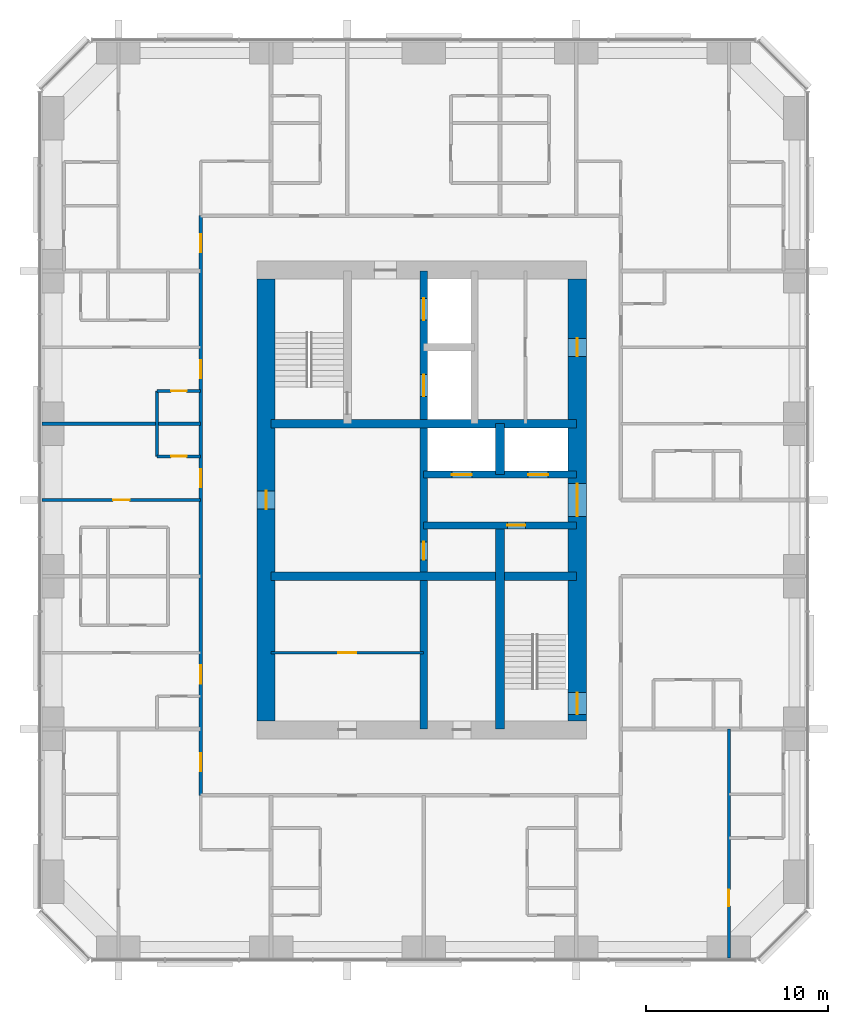
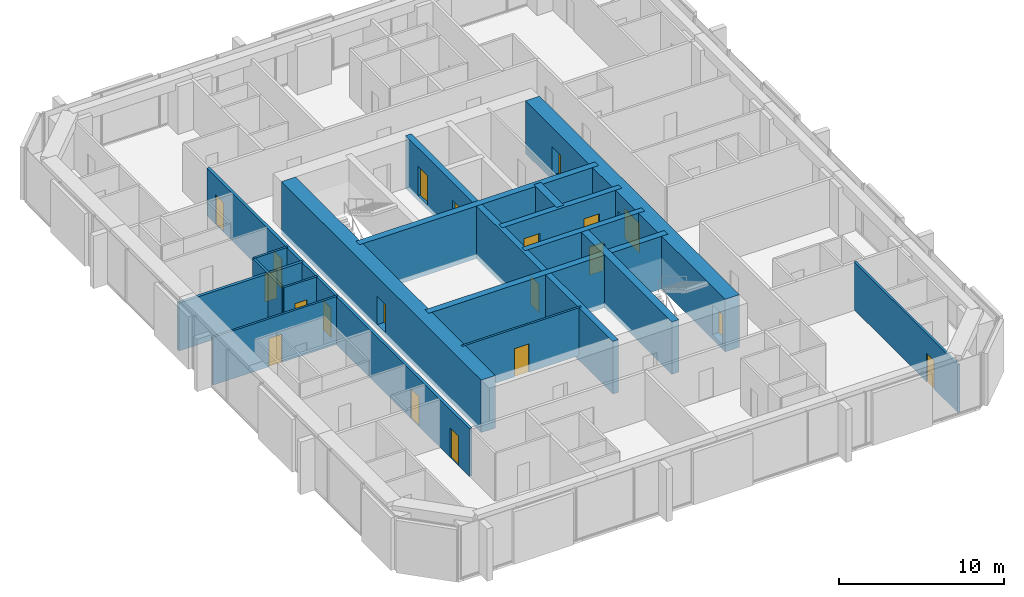
# One storey, part 8 of 12: 20 doors, 17 walls, 20 openings.
"""IFC4 building model written with IfcOpenShell, lengths in metres."""

from ifc_helpers import new_model, si_unit, direction, frame, frame_2d, origin, place, context, subcontext, project, spatial, rectangle, extrude, material, layer, layer_set, type_object, element, fill, save


model = new_model("IFC4")

# Units and contexts
model_context = context("Model", 3, precision=1e-05, world=origin(), true_north=direction((0.0, 1.0)))
body_context = subcontext(model_context, "Body", "Model", "MODEL_VIEW")
ifc_project = project(units=[si_unit("LENGTHUNIT", "METRE"), si_unit("AREAUNIT", "SQUARE_METRE"), si_unit("VOLUMEUNIT", "CUBIC_METRE"), si_unit("PLANEANGLEUNIT", "RADIAN"), si_unit("MASSUNIT", "GRAM", prefix="KILO")], contexts=[model_context])

# Site, building, storey
site_placement = place(None, origin())
site = spatial("IfcSite", under=ifc_project, at=site_placement, CompositionType="ELEMENT")
building_placement = place(site_placement, origin())
building = spatial("IfcBuilding", under=site, at=building_placement, Name="Dunama Terrace Hotel", CompositionType="ELEMENT")
storey_placement = place(building_placement, frame((0.0, 0.0, 229.5)))
storey = spatial("IfcBuildingStorey", under=building, at=storey_placement, Name="L59", CompositionType="ELEMENT", Elevation=229.5)

# Wall
ifc_material_1 = material(Name="Gypsum board partition", Category="masonry")
ifc_layer_1 = layer(ifc_material_1, 0.14990234375)
ifc_layer_set_1 = layer_set([ifc_layer_1], Name="Bathroom partition 150")
wall_type_1 = type_object("IfcWallType", Name="Bathroom partition 150", PredefinedType="PARTITIONING", material=ifc_layer_set_1)
wall_1_placement = place(storey_placement, frame((18.925048828125, 31.800048828125, 0.0), z_axis=(0.0, 0.0, 1.0), x_axis=(0.0, 1.0, 0.0)))
element("IfcWall", 1, at=wall_1_placement, inside=storey, type_object=wall_type_1, Name="Bathroom partition 150 L59", PredefinedType="PARTITIONING", context=body_context, shape_type="SweptSolid", body=[
    extrude(rectangle(XDim=3.599853515625, YDim=0.14990234375, at=frame_2d((1.7998046875, 0.0))), origin(), (0.0, 0.0, 1.0), 3.550048828125),
])

# Wall, opening, door
wall_2_placement = place(storey_placement, frame((18.925048828125, 31.800048828125, 0.0), z_axis=(0.0, 0.0, 1.0), x_axis=(1.0, 0.0, 0.0)))
wall_2 = element("IfcWall", 2, at=wall_2_placement, inside=storey, type_object=wall_type_1, Name="Bathroom partition 150 L59", PredefinedType="PARTITIONING", context=body_context, shape_type="SweptSolid", body=[
    extrude(rectangle(XDim=2.39990234375, YDim=0.14990234375, at=frame_2d((1.199951171875, 0.0))), origin(), (0.0, 0.0, 1.0), 3.550048828125),
])
opening_1_placement = place(wall_2_placement, frame((0.77490234375, 0.0, 0.0)))
opening_1 = element("IfcOpeningElement", 3, at=opening_1_placement, cuts=wall_2, Name="Opening L59-037", PredefinedType="OPENING", context=body_context, shape_type="SweptSolid", body=[
    extrude(rectangle(XDim=0.85009765625, YDim=2.10009765625, at=frame_2d((0.425048828125, 1.050048828125))), frame((0.0, 0.0849609375, 0.0), z_axis=(0.0, -1.0, 0.0), x_axis=(1.0, 0.0, 0.0)), (0.0, 0.0, 1.0), 0.169921875),
])
ifc_material_2 = material(Name="Timber door with steel frame", Category="steel")
door_type_1 = type_object("IfcDoorType", Name="Bathroom door 850", OperationType="SINGLE_SWING_LEFT", PredefinedType="DOOR", material=ifc_material_2)
door_1_placement = place(opening_1_placement, origin())
door_1 = element("IfcDoor", 4, at=door_1_placement, inside=storey, type_object=door_type_1, Name="Door to powder room L59-037, type D2", OperationType="SINGLE_SWING_RIGHT", OverallHeight=2.10009765625, OverallWidth=0.85009765625, PredefinedType="DOOR", context=body_context, shape_type="SweptSolid", body=[
    extrude(rectangle(XDim=0.85009765625, YDim=2.10009765625, at=frame_2d((0.425048828125, 1.050048828125))), frame((0.0, 0.02490234375, 0.0), z_axis=(0.0, -1.0, 0.0), x_axis=(1.0, 0.0, 0.0)), (0.0, 0.0, 1.0), 0.050048828125),
])
fill(opening_1, door_1)

wall_3_placement = place(storey_placement, frame((18.925048828125, 35.39990234375, 0.0), z_axis=(0.0, 0.0, 1.0), x_axis=(1.0, 0.0, 0.0)))
wall_3 = element("IfcWall", 5, at=wall_3_placement, inside=storey, type_object=wall_type_1, Name="Bathroom partition 150 L59", PredefinedType="PARTITIONING", context=body_context, shape_type="SweptSolid", body=[
    extrude(rectangle(XDim=2.39990234375, YDim=0.14990234375, at=frame_2d((1.199951171875, 0.0))), origin(), (0.0, 0.0, 1.0), 3.550048828125),
])
opening_2_placement = place(wall_3_placement, frame((0.77490234375, 0.0, 0.0)))
opening_2 = element("IfcOpeningElement", 6, at=opening_2_placement, cuts=wall_3, Name="Opening L59-042", PredefinedType="OPENING", context=body_context, shape_type="SweptSolid", body=[
    extrude(rectangle(XDim=0.85009765625, YDim=2.10009765625, at=frame_2d((0.425048828125, 1.050048828125))), frame((0.0, 0.0849609375, 0.0), z_axis=(0.0, -1.0, 0.0), x_axis=(1.0, 0.0, 0.0)), (0.0, 0.0, 1.0), 0.169921875),
])
door_2_placement = place(opening_2_placement, frame((0.85009765625, 0.0, 0.0), z_axis=(0.0, 0.0, 1.0), x_axis=(-1.0, 0.0, 0.0)))
door_2 = element("IfcDoor", 7, at=door_2_placement, inside=storey, type_object=door_type_1, Name="Door to powder room L59-042, type D2", OperationType="SINGLE_SWING_LEFT", OverallHeight=2.10009765625, OverallWidth=0.85009765625, PredefinedType="DOOR", context=body_context, shape_type="SweptSolid", body=[
    extrude(rectangle(XDim=0.85009765625, YDim=2.10009765625, at=frame_2d((0.425048828125, 1.050048828125))), frame((0.0, 0.025146484375, 0.0), z_axis=(0.0, -1.0, 0.0), x_axis=(1.0, 0.0, 0.0)), (0.0, 0.0, 1.0), 0.050048828125),
])
fill(opening_2, door_2)

# Wall, openings, doors
ifc_material_3 = material(Name="Concrete C50/60", Category="concrete")
ifc_layer_2 = layer(ifc_material_3, 0.39990234375)
ifc_layer_set_2 = layer_set([ifc_layer_2], Name="Core inner wall 400")
wall_type_2 = type_object("IfcWallType", Name="Core inner wall 400", PredefinedType="SHEAR", material=ifc_layer_set_2)
wall_4_placement = place(storey_placement, frame((33.60009765625, 16.800048828125, -0.35009765625), z_axis=(0.0, 0.0, 1.0), x_axis=(0.0, 1.0, 0.0)))
wall_4 = element("IfcWall", 8, at=wall_4_placement, inside=storey, type_object=wall_type_2, Name="Core inner wall 400 L59", PredefinedType="SHEAR", context=body_context, shape_type="SweptSolid", body=[
    extrude(rectangle(XDim=25.199951171875, YDim=0.39990234375, at=frame_2d((12.60009765625, 0.0))), origin(), (0.0, 0.0, 1.0), 3.900146484375),
])
opening_3_placement = place(wall_4_placement, frame((22.5, 0.0, 0.35009765625)))
opening_3 = element("IfcOpeningElement", 9, at=opening_3_placement, cuts=wall_4, Name="Opening L59-005", PredefinedType="OPENING", context=body_context, shape_type="SweptSolid", body=[
    extrude(rectangle(XDim=1.199951171875, YDim=2.199951171875, at=frame_2d((0.60009765625, 1.10009765625))), frame((0.0, 0.2099609375, 0.0), z_axis=(0.0, -1.0, 0.0), x_axis=(1.0, 0.0, 0.0)), (0.0, 0.0, 1.0), 0.419921875),
])
opening_4_placement = place(wall_4_placement, frame((18.300048828125, 0.0, 0.35009765625)))
opening_4 = element("IfcOpeningElement", 10, at=opening_4_placement, cuts=wall_4, Name="Opening L59-006", PredefinedType="OPENING", context=body_context, shape_type="SweptSolid", body=[
    extrude(rectangle(XDim=1.199951171875, YDim=2.199951171875, at=frame_2d((0.60009765625, 1.10009765625))), frame((0.0, 0.2099609375, 0.0), z_axis=(0.0, -1.0, 0.0), x_axis=(1.0, 0.0, 0.0)), (0.0, 0.0, 1.0), 0.419921875),
])
opening_5_placement = place(wall_4_placement, frame((9.300048828125, 0.0, 0.35009765625)))
opening_5 = element("IfcOpeningElement", 11, at=opening_5_placement, cuts=wall_4, Name="Opening L59-067", PredefinedType="OPENING", context=body_context, shape_type="SweptSolid", body=[
    extrude(rectangle(XDim=1.0, YDim=2.10009765625, at=frame_2d((0.5, 1.050048828125))), frame((0.0, 0.2099609375, 0.0), z_axis=(0.0, -1.0, 0.0), x_axis=(1.0, 0.0, 0.0)), (0.0, 0.0, 1.0), 0.419921875),
])
ifc_material_4 = material(Name="Stainless steel lift door", Category="steel")
door_type_2 = type_object("IfcDoorType", Name="Firefighting lift landing door 1200", OperationType="DOUBLE_DOOR_SLIDING", PredefinedType="DOOR", material=ifc_material_4)
door_3_placement = place(opening_3_placement, origin())
door_3 = element("IfcDoor", 12, at=door_3_placement, inside=storey, type_object=door_type_2, Name="Landing door FL1 L59-005, type LD2", OperationType="DOUBLE_DOOR_SLIDING", OverallHeight=2.199951171875, OverallWidth=1.199951171875, PredefinedType="DOOR", context=body_context, shape_type="SweptSolid", body=[
    extrude(rectangle(XDim=1.199951171875, YDim=2.199951171875, at=frame_2d((0.60009765625, 1.10009765625))), frame((0.0, 0.02490234375, 0.0), z_axis=(0.0, -1.0, 0.0), x_axis=(1.0, 0.0, 0.0)), (0.0, 0.0, 1.0), 0.050048828125),
])
fill(opening_3, door_3)
door_4_placement = place(opening_4_placement, origin())
door_4 = element("IfcDoor", 13, at=door_4_placement, inside=storey, type_object=door_type_2, Name="Landing door FL2 L59-006, type LD2", OperationType="DOUBLE_DOOR_SLIDING", OverallHeight=2.199951171875, OverallWidth=1.199951171875, PredefinedType="DOOR", context=body_context, shape_type="SweptSolid", body=[
    extrude(rectangle(XDim=1.199951171875, YDim=2.199951171875, at=frame_2d((0.60009765625, 1.10009765625))), frame((0.0, 0.02490234375, 0.0), z_axis=(0.0, -1.0, 0.0), x_axis=(1.0, 0.0, 0.0)), (0.0, 0.0, 1.0), 0.050048828125),
])
fill(opening_4, door_4)
ifc_material_5 = material(Name="Timber door with steel frame", Category="steel")
door_type_3 = type_object("IfcDoorType", Name="Service door 1000", OperationType="SINGLE_SWING_LEFT", PredefinedType="DOOR", material=ifc_material_5)
door_5_placement = place(opening_5_placement, frame((1.0, 0.0, 0.0), z_axis=(0.0, 0.0, 1.0), x_axis=(-1.0, 0.0, 0.0)))
door_5 = element("IfcDoor", 14, at=door_5_placement, inside=storey, type_object=door_type_3, Name="Door to service riser L59-067, type D7", OperationType="SINGLE_SWING_RIGHT", OverallHeight=2.10009765625, OverallWidth=1.0, PredefinedType="DOOR", context=body_context, shape_type="SweptSolid", body=[
    extrude(rectangle(XDim=1.0, YDim=2.10009765625, at=frame_2d((0.5, 1.050048828125))), frame((0.0, 0.025146484375, 0.0), z_axis=(0.0, -1.0, 0.0), x_axis=(1.0, 0.0, 0.0)), (0.0, 0.0, 1.0), 0.050048828125),
])
fill(opening_5, door_5)

# Wall, opening, door
wall_5_placement = place(storey_placement, frame((33.60009765625, 28.0, -0.35009765625), z_axis=(0.0, 0.0, 1.0), x_axis=(1.0, 0.0, 0.0)))
wall_5 = element("IfcWall", 15, at=wall_5_placement, inside=storey, type_object=wall_type_2, Name="Core inner wall 400 L59", PredefinedType="SHEAR", context=body_context, shape_type="SweptSolid", body=[
    extrude(rectangle(XDim=8.39990234375, YDim=0.39990234375, at=frame_2d((4.199951171875, 0.0))), origin(), (0.0, 0.0, 1.0), 3.900146484375),
])
opening_6_placement = place(wall_5_placement, frame((4.60009765625, 0.0, 0.35009765625)))
opening_6 = element("IfcOpeningElement", 16, at=opening_6_placement, cuts=wall_5, Name="Opening L59-068", PredefinedType="OPENING", context=body_context, shape_type="SweptSolid", body=[
    extrude(rectangle(XDim=1.0, YDim=2.10009765625, at=frame_2d((0.5, 1.050048828125))), frame((0.0, 0.2099609375, 0.0), z_axis=(0.0, -1.0, 0.0), x_axis=(1.0, 0.0, 0.0)), (0.0, 0.0, 1.0), 0.419921875),
])
door_6_placement = place(opening_6_placement, frame((1.0, 0.0, 0.0), z_axis=(0.0, 0.0, 1.0), x_axis=(-1.0, 0.0, 0.0)))
door_6 = element("IfcDoor", 17, at=door_6_placement, inside=storey, type_object=door_type_3, Name="Door to ice and vending room L59-068, type D7", OperationType="SINGLE_SWING_RIGHT", OverallHeight=2.10009765625, OverallWidth=1.0, PredefinedType="DOOR", context=body_context, shape_type="SweptSolid", body=[
    extrude(rectangle(XDim=1.0, YDim=2.10009765625, at=frame_2d((0.5, 1.050048828125))), frame((0.0, 0.025146484375, 0.0), z_axis=(0.0, -1.0, 0.0), x_axis=(1.0, 0.0, 0.0)), (0.0, 0.0, 1.0), 0.050048828125),
])
fill(opening_6, door_6)

# Wall, openings, doors
wall_6_placement = place(storey_placement, frame((33.60009765625, 30.800048828125, -0.35009765625), z_axis=(0.0, 0.0, 1.0), x_axis=(1.0, 0.0, 0.0)))
wall_6 = element("IfcWall", 18, at=wall_6_placement, inside=storey, type_object=wall_type_2, Name="Core inner wall 400 L59", PredefinedType="SHEAR", context=body_context, shape_type="SweptSolid", body=[
    extrude(rectangle(XDim=8.39990234375, YDim=0.39990234375, at=frame_2d((4.199951171875, 0.0))), origin(), (0.0, 0.0, 1.0), 3.900146484375),
])
opening_7_placement = place(wall_6_placement, frame((1.550048828125, 0.0, 0.35009765625)))
opening_7 = element("IfcOpeningElement", 19, at=opening_7_placement, cuts=wall_6, Name="Opening L59-003", PredefinedType="OPENING", context=body_context, shape_type="SweptSolid", body=[
    extrude(rectangle(XDim=1.10009765625, YDim=2.199951171875, at=frame_2d((0.550048828125, 1.10009765625))), frame((0.0, 0.2099609375, 0.0), z_axis=(0.0, -1.0, 0.0), x_axis=(1.0, 0.0, 0.0)), (0.0, 0.0, 1.0), 0.419921875),
])
opening_8_placement = place(wall_6_placement, frame((5.75, 0.0, 0.35009765625)))
opening_8 = element("IfcOpeningElement", 20, at=opening_8_placement, cuts=wall_6, Name="Opening L59-004", PredefinedType="OPENING", context=body_context, shape_type="SweptSolid", body=[
    extrude(rectangle(XDim=1.10009765625, YDim=2.199951171875, at=frame_2d((0.550048828125, 1.10009765625))), frame((0.0, 0.2099609375, 0.0), z_axis=(0.0, -1.0, 0.0), x_axis=(1.0, 0.0, 0.0)), (0.0, 0.0, 1.0), 0.419921875),
])
ifc_material_6 = material(Name="Stainless steel lift door", Category="steel")
door_type_4 = type_object("IfcDoorType", Name="Lift landing door 1100", OperationType="DOUBLE_DOOR_SLIDING", PredefinedType="DOOR", material=ifc_material_6)
door_7_placement = place(opening_7_placement, origin())
door_7 = element("IfcDoor", 21, at=door_7_placement, inside=storey, type_object=door_type_4, Name="Landing door PD1 L59-003, type LD1", OperationType="DOUBLE_DOOR_SLIDING", OverallHeight=2.199951171875, OverallWidth=1.10009765625, PredefinedType="DOOR", context=body_context, shape_type="SweptSolid", body=[
    extrude(rectangle(XDim=1.10009765625, YDim=2.199951171875, at=frame_2d((0.550048828125, 1.10009765625))), frame((0.0, 0.02490234375, 0.0), z_axis=(0.0, -1.0, 0.0), x_axis=(1.0, 0.0, 0.0)), (0.0, 0.0, 1.0), 0.050048828125),
])
fill(opening_7, door_7)
door_8_placement = place(opening_8_placement, origin())
door_8 = element("IfcDoor", 22, at=door_8_placement, inside=storey, type_object=door_type_4, Name="Landing door PD2 L59-004, type LD1", OperationType="DOUBLE_DOOR_SLIDING", OverallHeight=2.199951171875, OverallWidth=1.10009765625, PredefinedType="DOOR", context=body_context, shape_type="SweptSolid", body=[
    extrude(rectangle(XDim=1.10009765625, YDim=2.199951171875, at=frame_2d((0.550048828125, 1.10009765625))), frame((0.0, 0.02490234375, 0.0), z_axis=(0.0, -1.0, 0.0), x_axis=(1.0, 0.0, 0.0)), (0.0, 0.0, 1.0), 0.050048828125),
])
fill(opening_8, door_8)

# Walls
ifc_material_7 = material(Name="Concrete C50/60", Category="concrete")
ifc_layer_3 = layer(ifc_material_7, 0.449951171875)
ifc_layer_set_3 = layer_set([ifc_layer_3], Name="Core inner wall 450")
wall_type_3 = type_object("IfcWallType", Name="Core inner wall 450", PredefinedType="SHEAR", material=ifc_layer_set_3)
for number, where, z_axis, x_axis, name in (
    (23, (25.199951171875, 25.199951171875, -0.35009765625), (0.0, 0.0, 1.0), (1.0, 0.0, 0.0), "Core inner wall 450 L59"),
    (24, (25.199951171875, 33.60009765625, -0.35009765625), (0.0, 0.0, 1.0), (1.0, 0.0, 0.0), "Core inner wall 450 L59"),
):
    element("IfcWall", number, at=place(storey_placement, frame(where, z_axis=z_axis, x_axis=x_axis)), inside=storey, type_object=wall_type_3, Name=name, PredefinedType="SHEAR", context=body_context, shape_type="SweptSolid", body=[
        extrude(rectangle(XDim=16.800048828125, YDim=0.449951171875, at=frame_2d((8.39990234375, 0.0))), origin(), (0.0, 0.0, 1.0), 3.900146484375),
    ])
ifc_material_8 = material(Name="Concrete C50/60", Category="concrete")
ifc_layer_4 = layer(ifc_material_8, 0.5)
ifc_layer_set_4 = layer_set([ifc_layer_4], Name="Core inner wall 500")
wall_type_4 = type_object("IfcWallType", Name="Core inner wall 500", PredefinedType="SHEAR", material=ifc_layer_set_4)
wall_7_placement = place(storey_placement, frame((37.800048828125, 16.800048828125, -0.35009765625), z_axis=(0.0, 0.0, 1.0), x_axis=(0.0, 1.0, 0.0)))
element("IfcWall", 25, at=wall_7_placement, inside=storey, type_object=wall_type_4, Name="Core inner wall 500 L59", PredefinedType="SHEAR", context=body_context, shape_type="SweptSolid", body=[
    extrude(rectangle(XDim=11.199951171875, YDim=0.5, at=frame_2d((5.60009765625, 0.0))), origin(), (0.0, 0.0, 1.0), 3.900146484375),
])
wall_8_placement = place(storey_placement, frame((37.800048828125, 30.800048828125, -0.35009765625), z_axis=(0.0, 0.0, 1.0), x_axis=(0.0, 1.0, 0.0)))
element("IfcWall", 26, at=wall_8_placement, inside=storey, type_object=wall_type_4, Name="Core inner wall 500 L59", PredefinedType="SHEAR", context=body_context, shape_type="SweptSolid", body=[
    extrude(rectangle(XDim=2.800048828125, YDim=0.5, at=frame_2d((1.39990234375, 0.0))), origin(), (0.0, 0.0, 1.0), 3.900146484375),
])

# Wall, openings, doors
ifc_material_9 = material(Name="Concrete C60/75", Category="concrete")
ifc_layer_5 = layer(ifc_material_9, 1.0)
ifc_layer_set_5 = layer_set([ifc_layer_5], Name="Core wall 1000")
wall_type_5 = type_object("IfcWallType", Name="Core wall 1000", PredefinedType="SHEAR", material=ifc_layer_set_5)
wall_9_placement = place(storey_placement, frame((42.050048828125, 17.25, -0.35009765625), z_axis=(0.0, 0.0, 1.0), x_axis=(0.0, 1.0, 0.0)))
wall_9 = element("IfcWall", 27, at=wall_9_placement, inside=storey, type_object=wall_type_5, Name="Core wall east L59", PredefinedType="SHEAR", context=body_context, shape_type="SweptSolid", body=[
    extrude(rectangle(XDim=24.300048828125, YDim=1.0, at=frame_2d((12.14990234375, 0.0))), origin(), (0.0, 0.0, 1.0), 3.900146484375),
])
opening_9_placement = place(wall_9_placement, frame((0.35009765625, 0.0, 0.35009765625)))
opening_9 = element("IfcOpeningElement", 28, at=opening_9_placement, cuts=wall_9, Name="Opening L59-002", PredefinedType="OPENING", context=body_context, shape_type="SweptSolid", body=[
    extrude(rectangle(XDim=1.199951171875, YDim=2.199951171875, at=frame_2d((0.60009765625, 1.10009765625))), frame((0.0, 0.510009765625, 0.0), z_axis=(0.0, -1.0, 0.0), x_axis=(1.0, 0.0, 0.0)), (0.0, 0.0, 1.0), 1.02001953125),
])
opening_10_placement = place(wall_9_placement, frame((11.25, 0.0, 0.35009765625)))
opening_10 = element("IfcOpeningElement", 29, at=opening_10_placement, cuts=wall_9, Name="Opening L59-069", PredefinedType="OPENING", context=body_context, shape_type="SweptSolid", body=[
    extrude(rectangle(XDim=1.800048828125, YDim=2.199951171875, at=frame_2d((0.89990234375, 1.10009765625))), frame((0.0, 0.510009765625, 0.0), z_axis=(0.0, -1.0, 0.0), x_axis=(1.0, 0.0, 0.0)), (0.0, 0.0, 1.0), 1.02001953125),
])
opening_11_placement = place(wall_9_placement, frame((20.050048828125, 0.0, 0.35009765625)))
opening_11 = element("IfcOpeningElement", 30, at=opening_11_placement, cuts=wall_9, Name="Opening L59-071", PredefinedType="OPENING", context=body_context, shape_type="SweptSolid", body=[
    extrude(rectangle(XDim=1.0, YDim=2.10009765625, at=frame_2d((0.5, 1.050048828125))), frame((0.0, 0.510009765625, 0.0), z_axis=(0.0, -1.0, 0.0), x_axis=(1.0, 0.0, 0.0)), (0.0, 0.0, 1.0), 1.02001953125),
])
ifc_material_10 = material(Name="Timber door with steel frame", Category="steel")
door_type_5 = type_object("IfcDoorType", Name="Lift lobby double door 1800", OperationType="DOUBLE_DOOR_DOUBLE_SWING", PredefinedType="DOOR", material=ifc_material_10)
door_9_placement = place(opening_10_placement, origin())
door_9 = element("IfcDoor", 31, at=door_9_placement, inside=storey, type_object=door_type_5, Name="Door to lift lobby L59-069, type D3", OperationType="DOUBLE_DOOR_DOUBLE_SWING", OverallHeight=2.199951171875, OverallWidth=1.800048828125, PredefinedType="DOOR", context=body_context, shape_type="SweptSolid", body=[
    extrude(rectangle(XDim=1.800048828125, YDim=2.199951171875, at=frame_2d((0.89990234375, 1.10009765625))), frame((0.0, 0.02490234375, 0.0), z_axis=(0.0, -1.0, 0.0), x_axis=(1.0, 0.0, 0.0)), (0.0, 0.0, 1.0), 0.050048828125),
])
fill(opening_10, door_9)
door_10_placement = place(opening_11_placement, origin())
door_10 = element("IfcDoor", 32, at=door_10_placement, inside=storey, type_object=door_type_3, Name="Door to linen store L59-071, type D7", OperationType="SINGLE_SWING_LEFT", OverallHeight=2.10009765625, OverallWidth=1.0, PredefinedType="DOOR", context=body_context, shape_type="SweptSolid", body=[
    extrude(rectangle(XDim=1.0, YDim=2.10009765625, at=frame_2d((0.5, 1.050048828125))), frame((0.0, 0.02490234375, 0.0), z_axis=(0.0, -1.0, 0.0), x_axis=(1.0, 0.0, 0.0)), (0.0, 0.0, 1.0), 0.050048828125),
])
fill(opening_11, door_10)
ifc_material_11 = material(Name="Timber door with steel frame", Category="steel")
door_type_6 = type_object("IfcDoorType", Name="Stair door 1200", OperationType="SINGLE_SWING_LEFT", PredefinedType="DOOR", material=ifc_material_11)
door_11_placement = place(opening_9_placement, origin())
door_11 = element("IfcDoor", 33, at=door_11_placement, inside=storey, type_object=door_type_6, Name="Stair door ST2 L59-002, type D5", OperationType="SINGLE_SWING_LEFT", OverallHeight=2.199951171875, OverallWidth=1.199951171875, PredefinedType="DOOR", context=body_context, shape_type="SweptSolid", body=[
    extrude(rectangle(XDim=1.199951171875, YDim=2.199951171875, at=frame_2d((0.60009765625, 1.10009765625))), frame((0.0, 0.02490234375, 0.0), z_axis=(0.0, -1.0, 0.0), x_axis=(1.0, 0.0, 0.0)), (0.0, 0.0, 1.0), 0.050048828125),
])
fill(opening_9, door_11)

# Wall, opening, door
wall_10_placement = place(storey_placement, frame((24.925048828125, 41.550048828125, -0.35009765625), z_axis=(0.0, 0.0, 1.0), x_axis=(0.0, -1.0, 0.0)))
wall_10 = element("IfcWall", 34, at=wall_10_placement, inside=storey, type_object=wall_type_5, Name="Core wall west L59", PredefinedType="SHEAR", context=body_context, shape_type="SweptSolid", body=[
    extrude(rectangle(XDim=24.300048828125, YDim=1.0, at=frame_2d((12.14990234375, 0.0))), origin(), (0.0, 0.0, 1.0), 3.900146484375),
])
opening_12_placement = place(wall_10_placement, frame((11.64990234375, 0.0, 0.35009765625)))
opening_12 = element("IfcOpeningElement", 35, at=opening_12_placement, cuts=wall_10, Name="Opening L59-066", PredefinedType="OPENING", context=body_context, shape_type="SweptSolid", body=[
    extrude(rectangle(XDim=1.0, YDim=2.10009765625, at=frame_2d((0.5, 1.050048828125))), frame((0.0, 0.510009765625, 0.0), z_axis=(0.0, -1.0, 0.0), x_axis=(1.0, 0.0, 0.0)), (0.0, 0.0, 1.0), 1.02001953125),
])
door_12_placement = place(opening_12_placement, origin())
door_12 = element("IfcDoor", 36, at=door_12_placement, inside=storey, type_object=door_type_3, Name="Door to riser room L59-066, type D7", OperationType="SINGLE_SWING_RIGHT", OverallHeight=2.10009765625, OverallWidth=1.0, PredefinedType="DOOR", context=body_context, shape_type="SweptSolid", body=[
    extrude(rectangle(XDim=1.0, YDim=2.10009765625, at=frame_2d((0.5, 1.050048828125))), frame((0.0, 0.02490234375, 0.0), z_axis=(0.0, -1.0, 0.0), x_axis=(1.0, 0.0, 0.0)), (0.0, 0.0, 1.0), 0.050048828125),
])
fill(opening_12, door_12)

# Wall, openings, doors
ifc_material_12 = material(Name="Concrete blockwork", Category="masonry")
ifc_layer_6 = layer(ifc_material_12, 0.199951171875)
ifc_layer_set_6 = layer_set([ifc_layer_6], Name="Corridor partition 200")
wall_type_6 = type_object("IfcWallType", Name="Corridor partition 200", PredefinedType="PARTITIONING", material=ifc_layer_set_6)
wall_11_placement = place(storey_placement, frame((21.324951171875, 13.14990234375, 0.0), z_axis=(0.0, 0.0, 1.0), x_axis=(0.0, 1.0, 0.0)))
wall_11 = element("IfcWall", 37, at=wall_11_placement, inside=storey, type_object=wall_type_6, Name="Corridor partition 200 L59", PredefinedType="PARTITIONING", context=body_context, shape_type="SweptSolid", body=[
    extrude(rectangle(XDim=31.900146484375, YDim=0.199951171875, at=frame_2d((15.9501953125, 0.0))), origin(), (0.0, 0.0, 1.0), 3.550048828125),
])
opening_13_placement = place(wall_11_placement, frame((6.14990234375, 0.0, 0.0)))
opening_13 = element("IfcOpeningElement", 38, at=opening_13_placement, cuts=wall_11, Name="Opening L59-031", PredefinedType="OPENING", context=body_context, shape_type="SweptSolid", body=[
    extrude(rectangle(XDim=1.0, YDim=2.199951171875, at=frame_2d((0.5, 1.10009765625))), frame((0.0, 0.10986328125, 0.0), z_axis=(0.0, -1.0, 0.0), x_axis=(1.0, 0.0, 0.0)), (0.0, 0.0, 1.0), 0.219970703125),
])
opening_14_placement = place(wall_11_placement, frame((16.949951171875, 0.0, 0.0)))
opening_14 = element("IfcOpeningElement", 39, at=opening_14_placement, cuts=wall_11, Name="Opening L59-036", PredefinedType="OPENING", context=body_context, shape_type="SweptSolid", body=[
    extrude(rectangle(XDim=1.0, YDim=2.199951171875, at=frame_2d((0.5, 1.10009765625))), frame((0.0, 0.10986328125, 0.0), z_axis=(0.0, -1.0, 0.0), x_axis=(1.0, 0.0, 0.0)), (0.0, 0.0, 1.0), 0.219970703125),
])
opening_15_placement = place(wall_11_placement, frame((22.949951171875, 0.0, 0.0)))
opening_15 = element("IfcOpeningElement", 40, at=opening_15_placement, cuts=wall_11, Name="Opening L59-041", PredefinedType="OPENING", context=body_context, shape_type="SweptSolid", body=[
    extrude(rectangle(XDim=1.0, YDim=2.199951171875, at=frame_2d((0.5, 1.10009765625))), frame((0.0, 0.10986328125, 0.0), z_axis=(0.0, -1.0, 0.0), x_axis=(1.0, 0.0, 0.0)), (0.0, 0.0, 1.0), 0.219970703125),
])
opening_16_placement = place(wall_11_placement, frame((1.324951171875, 0.0, 0.0)))
opening_16 = element("IfcOpeningElement", 41, at=opening_16_placement, cuts=wall_11, Name="Opening L59-046", PredefinedType="OPENING", context=body_context, shape_type="SweptSolid", body=[
    extrude(rectangle(XDim=1.0, YDim=2.199951171875, at=frame_2d((0.5, 1.10009765625))), frame((0.0, 0.10986328125, 0.0), z_axis=(0.0, -1.0, 0.0), x_axis=(1.0, 0.0, 0.0)), (0.0, 0.0, 1.0), 0.219970703125),
])
opening_17_placement = place(wall_11_placement, frame((29.875, 0.0, 0.0)))
opening_17 = element("IfcOpeningElement", 42, at=opening_17_placement, cuts=wall_11, Name="Opening L59-061", PredefinedType="OPENING", context=body_context, shape_type="SweptSolid", body=[
    extrude(rectangle(XDim=1.0, YDim=2.199951171875, at=frame_2d((0.5, 1.10009765625))), frame((0.0, 0.10986328125, 0.0), z_axis=(0.0, -1.0, 0.0), x_axis=(1.0, 0.0, 0.0)), (0.0, 0.0, 1.0), 0.219970703125),
])
ifc_material_13 = material(Name="Timber door with steel frame", Category="steel")
door_type_7 = type_object("IfcDoorType", Name="Guest room door 1000", OperationType="SINGLE_SWING_LEFT", PredefinedType="DOOR", material=ifc_material_13)
door_13_placement = place(opening_13_placement, origin())
door_13 = element("IfcDoor", 43, at=door_13_placement, inside=storey, type_object=door_type_7, Name="Door to one-bedroom suite living room L59-031, type D1", OperationType="SINGLE_SWING_LEFT", OverallHeight=2.199951171875, OverallWidth=1.0, PredefinedType="DOOR", context=body_context, shape_type="SweptSolid", body=[
    extrude(rectangle(XDim=1.0, YDim=2.199951171875, at=frame_2d((0.5, 1.10009765625))), frame((0.0, 0.02490234375, 0.0), z_axis=(0.0, -1.0, 0.0), x_axis=(1.0, 0.0, 0.0)), (0.0, 0.0, 1.0), 0.050048828125),
])
fill(opening_13, door_13)
door_14_placement = place(opening_14_placement, origin())
door_14 = element("IfcDoor", 44, at=door_14_placement, inside=storey, type_object=door_type_7, Name="Door to one-bedroom suite living room L59-036, type D1", OperationType="SINGLE_SWING_RIGHT", OverallHeight=2.199951171875, OverallWidth=1.0, PredefinedType="DOOR", context=body_context, shape_type="SweptSolid", body=[
    extrude(rectangle(XDim=1.0, YDim=2.199951171875, at=frame_2d((0.5, 1.10009765625))), frame((0.0, 0.02490234375, 0.0), z_axis=(0.0, -1.0, 0.0), x_axis=(1.0, 0.0, 0.0)), (0.0, 0.0, 1.0), 0.050048828125),
])
fill(opening_14, door_14)
door_15_placement = place(opening_15_placement, origin())
door_15 = element("IfcDoor", 45, at=door_15_placement, inside=storey, type_object=door_type_7, Name="Door to one-bedroom suite living room L59-041, type D1", OperationType="SINGLE_SWING_RIGHT", OverallHeight=2.199951171875, OverallWidth=1.0, PredefinedType="DOOR", context=body_context, shape_type="SweptSolid", body=[
    extrude(rectangle(XDim=1.0, YDim=2.199951171875, at=frame_2d((0.5, 1.10009765625))), frame((0.0, 0.02490234375, 0.0), z_axis=(0.0, -1.0, 0.0), x_axis=(1.0, 0.0, 0.0)), (0.0, 0.0, 1.0), 0.050048828125),
])
fill(opening_15, door_15)
door_16_placement = place(opening_16_placement, origin())
door_16 = element("IfcDoor", 46, at=door_16_placement, inside=storey, type_object=door_type_7, Name="Door to grand corner suite living room L59-046, type D1", OperationType="SINGLE_SWING_LEFT", OverallHeight=2.199951171875, OverallWidth=1.0, PredefinedType="DOOR", context=body_context, shape_type="SweptSolid", body=[
    extrude(rectangle(XDim=1.0, YDim=2.199951171875, at=frame_2d((0.5, 1.10009765625))), frame((0.0, 0.02490234375, 0.0), z_axis=(0.0, -1.0, 0.0), x_axis=(1.0, 0.0, 0.0)), (0.0, 0.0, 1.0), 0.050048828125),
])
fill(opening_16, door_16)
door_17_placement = place(opening_17_placement, origin())
door_17 = element("IfcDoor", 47, at=door_17_placement, inside=storey, type_object=door_type_7, Name="Door to grand corner suite living room L59-061, type D1", OperationType="SINGLE_SWING_LEFT", OverallHeight=2.199951171875, OverallWidth=1.0, PredefinedType="DOOR", context=body_context, shape_type="SweptSolid", body=[
    extrude(rectangle(XDim=1.0, YDim=2.199951171875, at=frame_2d((0.5, 1.10009765625))), frame((0.0, 0.02490234375, 0.0), z_axis=(0.0, -1.0, 0.0), x_axis=(1.0, 0.0, 0.0)), (0.0, 0.0, 1.0), 0.050048828125),
])
fill(opening_17, door_17)

# Wall
ifc_material_14 = material(Name="Concrete blockwork", Category="masonry")
ifc_layer_7 = layer(ifc_material_14, 0.199951171875)
ifc_layer_set_7 = layer_set([ifc_layer_7], Name="Party wall 200")
wall_type_7 = type_object("IfcWallType", Name="Party wall 200", PredefinedType="PARTITIONING", material=ifc_layer_set_7)
wall_12_placement = place(storey_placement, frame((12.58203125, 33.60009765625, 0.0), z_axis=(0.0, 0.0, 1.0), x_axis=(1.0, 0.0, 0.0)))
element("IfcWall", 48, at=wall_12_placement, inside=storey, type_object=wall_type_7, Name="Party wall 200 L59", PredefinedType="PARTITIONING", context=body_context, shape_type="SweptSolid", body=[
    extrude(rectangle(XDim=8.742919921875, YDim=0.199951171875, at=frame_2d((4.37158203125, 0.0))), origin(), (0.0, 0.0, 1.0), 3.550048828125),
])

# Wall, opening, door
ifc_material_15 = material(Name="Gypsum board partition", Category="masonry")
ifc_layer_8 = layer(ifc_material_15, 0.14990234375)
ifc_layer_set_8 = layer_set([ifc_layer_8], Name="Room partition 150")
wall_type_8 = type_object("IfcWallType", Name="Room partition 150", PredefinedType="PARTITIONING", material=ifc_layer_set_8)
wall_13_placement = place(storey_placement, frame((50.39990234375, 4.181884765625, 0.0), z_axis=(0.0, 0.0, 1.0), x_axis=(0.0, 1.0, 0.0)))
wall_13 = element("IfcWall", 49, at=wall_13_placement, inside=storey, type_object=wall_type_8, Name="Room partition 150 L59", PredefinedType="PARTITIONING", context=body_context, shape_type="SweptSolid", body=[
    extrude(rectangle(XDim=12.6181640625, YDim=0.14990234375, at=frame_2d((6.30908203125, 0.0))), origin(), (0.0, 0.0, 1.0), 3.550048828125),
])
opening_18_placement = place(wall_13_placement, frame((2.867919921875, 0.0, 0.0)))
opening_18 = element("IfcOpeningElement", 50, at=opening_18_placement, cuts=wall_13, Name="Opening L59-053", PredefinedType="OPENING", context=body_context, shape_type="SweptSolid", body=[
    extrude(rectangle(XDim=0.89990234375, YDim=2.10009765625, at=frame_2d((0.449951171875, 1.050048828125))), frame((0.0, 0.0849609375, 0.0), z_axis=(0.0, -1.0, 0.0), x_axis=(1.0, 0.0, 0.0)), (0.0, 0.0, 1.0), 0.169921875),
])
ifc_material_16 = material(Name="Timber door with steel frame", Category="steel")
door_type_8 = type_object("IfcDoorType", Name="Suite internal door 900", OperationType="SINGLE_SWING_LEFT", PredefinedType="DOOR", material=ifc_material_16)
door_18_placement = place(opening_18_placement, frame((0.89990234375, 0.0, 0.0), z_axis=(0.0, 0.0, 1.0), x_axis=(-1.0, 0.0, 0.0)))
door_18 = element("IfcDoor", 51, at=door_18_placement, inside=storey, type_object=door_type_8, Name="Door to grand corner suite bedroom L59-053, type D16", OperationType="SINGLE_SWING_RIGHT", OverallHeight=2.10009765625, OverallWidth=0.89990234375, PredefinedType="DOOR", context=body_context, shape_type="SweptSolid", body=[
    extrude(rectangle(XDim=0.89990234375, YDim=2.10009765625, at=frame_2d((0.449951171875, 1.050048828125))), frame((0.0, 0.025146484375, 0.0), z_axis=(0.0, -1.0, 0.0), x_axis=(1.0, 0.0, 0.0)), (0.0, 0.0, 1.0), 0.050048828125),
])
fill(opening_18, door_18)

wall_14_placement = place(storey_placement, frame((25.199951171875, 21.0, 0.0), z_axis=(0.0, 0.0, 1.0), x_axis=(1.0, 0.0, 0.0)))
wall_14 = element("IfcWall", 52, at=wall_14_placement, inside=storey, type_object=wall_type_8, Name="Room partition 150 L59", PredefinedType="PARTITIONING", context=body_context, shape_type="SweptSolid", body=[
    extrude(rectangle(XDim=8.400146484375, YDim=0.14990234375, at=frame_2d((4.2001953125, 0.0))), origin(), (0.0, 0.0, 1.0), 3.550048828125),
])
opening_19_placement = place(wall_14_placement, frame((3.699951171875, 0.0, 0.0)))
opening_19 = element("IfcOpeningElement", 53, at=opening_19_placement, cuts=wall_14, Name="Opening L59-074", PredefinedType="OPENING", context=body_context, shape_type="SweptSolid", body=[
    extrude(rectangle(XDim=1.0, YDim=2.10009765625, at=frame_2d((0.5, 1.050048828125))), frame((0.0, 0.0849609375, 0.0), z_axis=(0.0, -1.0, 0.0), x_axis=(1.0, 0.0, 0.0)), (0.0, 0.0, 1.0), 0.169921875),
])
door_19_placement = place(opening_19_placement, origin())
door_19 = element("IfcDoor", 54, at=door_19_placement, inside=storey, type_object=door_type_3, Name="Door to stair pressurisation fan room L59-074, type D7", OperationType="SINGLE_SWING_LEFT", OverallHeight=2.10009765625, OverallWidth=1.0, PredefinedType="DOOR", context=body_context, shape_type="SweptSolid", body=[
    extrude(rectangle(XDim=1.0, YDim=2.10009765625, at=frame_2d((0.5, 1.050048828125))), frame((0.0, 0.02490234375, 0.0), z_axis=(0.0, -1.0, 0.0), x_axis=(1.0, 0.0, 0.0)), (0.0, 0.0, 1.0), 0.050048828125),
])
fill(opening_19, door_19)

wall_15_placement = place(storey_placement, frame((12.58203125, 29.39990234375, 0.0), z_axis=(0.0, 0.0, 1.0), x_axis=(1.0, 0.0, 0.0)))
wall_15 = element("IfcWall", 55, at=wall_15_placement, inside=storey, type_object=wall_type_8, Name="Room partition 150 L59", PredefinedType="PARTITIONING", context=body_context, shape_type="SweptSolid", body=[
    extrude(rectangle(XDim=8.742919921875, YDim=0.14990234375, at=frame_2d((4.37158203125, 0.0))), origin(), (0.0, 0.0, 1.0), 3.550048828125),
])
opening_20_placement = place(wall_15_placement, frame((3.929931640625, 0.0, 0.0)))
opening_20 = element("IfcOpeningElement", 56, at=opening_20_placement, cuts=wall_15, Name="Opening L59-038", PredefinedType="OPENING", context=body_context, shape_type="SweptSolid", body=[
    extrude(rectangle(XDim=0.89990234375, YDim=2.10009765625, at=frame_2d((0.449951171875, 1.050048828125))), frame((0.0, 0.0849609375, 0.0), z_axis=(0.0, -1.0, 0.0), x_axis=(1.0, 0.0, 0.0)), (0.0, 0.0, 1.0), 0.169921875),
])
door_20_placement = place(opening_20_placement, frame((0.89990234375, 0.0, 0.0), z_axis=(0.0, 0.0, 1.0), x_axis=(-1.0, 0.0, 0.0)))
door_20 = element("IfcDoor", 57, at=door_20_placement, inside=storey, type_object=door_type_8, Name="Door to one-bedroom suite bedroom L59-038, type D16", OperationType="SINGLE_SWING_RIGHT", OverallHeight=2.10009765625, OverallWidth=0.89990234375, PredefinedType="DOOR", context=body_context, shape_type="SweptSolid", body=[
    extrude(rectangle(XDim=0.89990234375, YDim=2.10009765625, at=frame_2d((0.449951171875, 1.050048828125))), frame((0.0, 0.025146484375, 0.0), z_axis=(0.0, -1.0, 0.0), x_axis=(1.0, 0.0, 0.0)), (0.0, 0.0, 1.0), 0.050048828125),
])
fill(opening_20, door_20)

save(model, "model.ifc")
